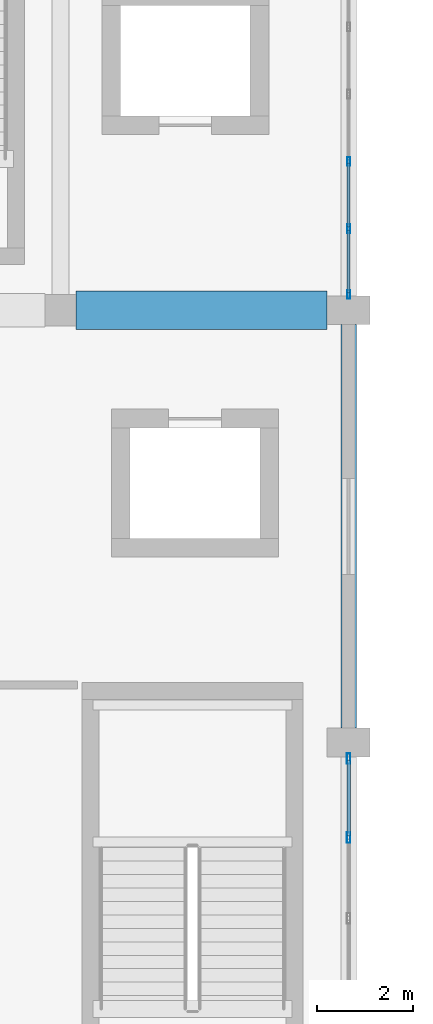
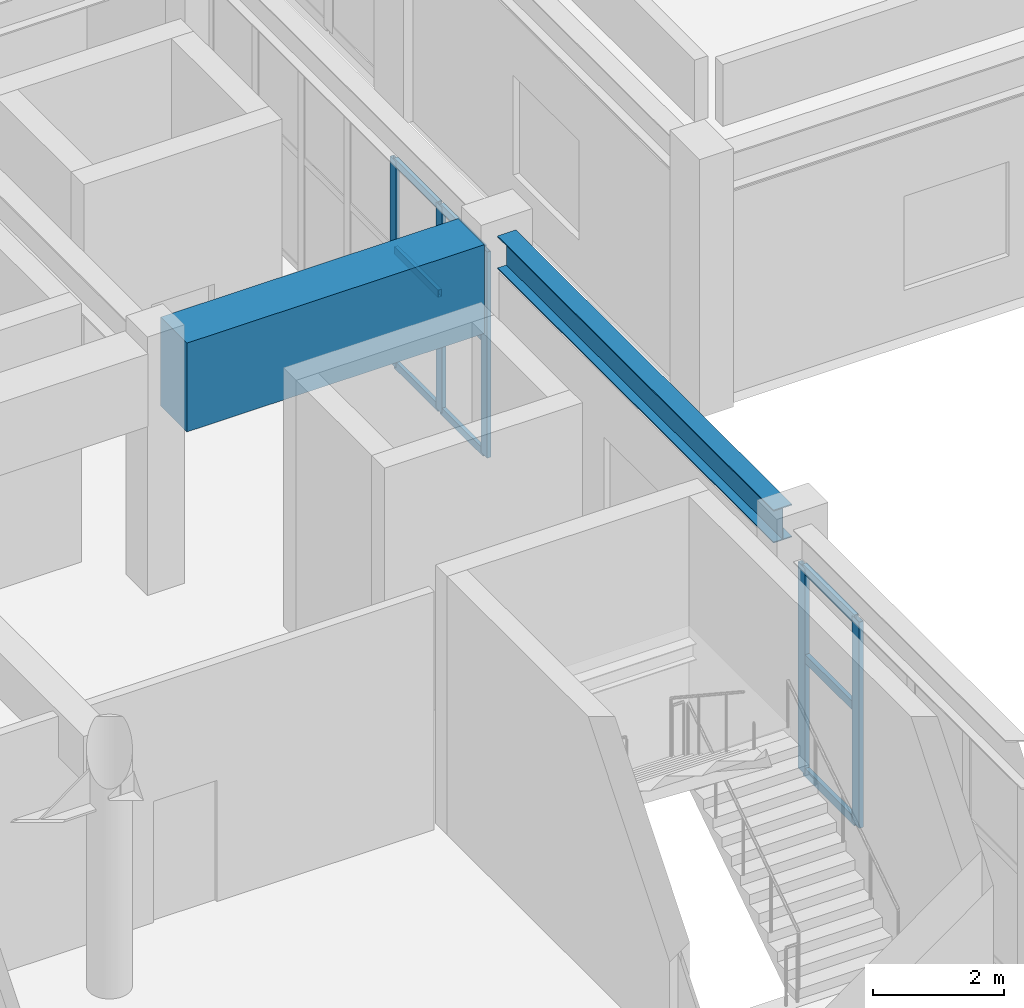
# One storey, part 25 of 85: 14 members, 2 beams, 2 elements without a shape of their own.
"""IFC4 building model written with IfcOpenShell, lengths in metres."""

from ifc_helpers import new_model, si_unit, direction, frame, origin, origin_2d, place, context, subcontext, project, spatial, rectangle, hollow_rectangle, i_section, extrude, material, layer, layer_set, material_profile, profile_set, type_object, element, aggregate, save


model = new_model("IFC4")

# Units and contexts
model_context = context("Model", 3, precision=1e-05, world=origin(), true_north=direction((0.0, 1.0)))
body_context = subcontext(model_context, "Body", "Model", "MODEL_VIEW")
ifc_project = project(units=[si_unit("LENGTHUNIT", "METRE"), si_unit("AREAUNIT", "SQUARE_METRE"), si_unit("VOLUMEUNIT", "CUBIC_METRE"), si_unit("PLANEANGLEUNIT", "RADIAN"), si_unit("MASSUNIT", "GRAM", prefix="KILO")], contexts=[model_context])

# Site, building, storey
site_placement = place(None, origin())
site = spatial("IfcSite", under=ifc_project, at=site_placement, CompositionType="ELEMENT")
building_placement = place(site_placement, origin())
building = spatial("IfcBuilding", under=site, at=building_placement, Name="Vaelkrest Opera House", CompositionType="ELEMENT")
storey_placement = place(building_placement, frame((0.0, 0.0, 10.199951171875)))
storey = spatial("IfcBuildingStorey", under=building, at=storey_placement, Name="L02", CompositionType="ELEMENT", Elevation=10.199951171875)

# Beam
ifc_material_1 = material(Name="Concrete C50/60", Category="concrete")
ifc_material_profile_1 = material_profile(ifc_material_1, rectangle(XDim=0.800048828125, YDim=1.64990234375, at=origin_2d()), Name="RCB800X1650")
ifc_profile_set_1 = profile_set([ifc_material_profile_1], Name="Concrete C50/60")
beam_type_1 = type_object("IfcBeamType", Name="B07", PredefinedType="BEAM", material=ifc_profile_set_1)
beam_1_placement = place(storey_placement, frame((24.324951171875, -28.800048828125, 3.679931640625), z_axis=(1.0, 0.0, 0.0), x_axis=(0.0, 1.0, 0.0)))
element("IfcBeam", 1, at=beam_1_placement, inside=storey, type_object=beam_type_1, Name="Beam BM-V1-L02-0336", PredefinedType="BEAM", context=body_context, shape_type="SweptSolid", body=[
    extrude(rectangle(XDim=0.800048828125, YDim=1.64990234375, at=origin_2d()), origin(), (0.0, 0.0, 1.0), 5.22509765625),
])

# Curtain wall, members
ifc_material_2 = material(Name="Dark bronze anodized aluminium", Category="aluminium")
ifc_layer_1 = layer(ifc_material_2, 0.179931640625)
ifc_layer_set_1 = layer_set([ifc_layer_1], Name="Dark bronze anodized aluminium")
curtain_wall_type_1 = type_object("IfcCurtainWallType", Name="CW01", PredefinedType="NOTDEFINED", material=ifc_layer_set_1)
curtain_wall_1_placement = place(storey_placement, origin())
curtain_wall_1 = element("IfcCurtainWall", 2, at=curtain_wall_1_placement, inside=storey, type_object=curtain_wall_type_1, Name="Curtain wall CW-L02-040", PredefinedType="NOTDEFINED")
ifc_material_profile_2 = material_profile(ifc_material_2, hollow_rectangle(XDim=0.06494140625, YDim=0.179931640625, WallThickness=0.00390625, at=origin_2d()), Name="CWM65X180")
ifc_profile_set_2 = profile_set([ifc_material_profile_2], Name="Dark bronze anodized aluminium")
member_type_1 = type_object("IfcMemberType", Name="CWM01", PredefinedType="MULLION", material=ifc_profile_set_2)
member_1_placement = place(storey_placement, frame((30.0, -25.70068359375, 0.0), z_axis=(0.0, 0.0, 1.0), x_axis=(1.0, 0.0, 0.0)))
member_1 = element("IfcMember", 3, at=member_1_placement, type_object=member_type_1, Name="CW01 mullion 5", PredefinedType="MULLION", context=body_context, shape_type="SweptSolid", body=[
    extrude(hollow_rectangle(XDim=0.06494140625, YDim=0.179931640625, WallThickness=0.00390625, at=origin_2d()), origin(), (0.0, 0.0, 1.0), 3.8291015625),
])
member_2_placement = place(storey_placement, frame((30.0, -27.101318359375, 0.0), z_axis=(0.0, 0.0, 1.0), x_axis=(1.0, 0.0, 0.0)))
member_2 = element("IfcMember", 4, at=member_2_placement, type_object=member_type_1, Name="CW01 mullion 6", PredefinedType="MULLION", context=body_context, shape_type="SweptSolid", body=[
    extrude(hollow_rectangle(XDim=0.06494140625, YDim=0.179931640625, WallThickness=0.00390625, at=origin_2d()), origin(), (0.0, 0.0, 1.0), 3.8291015625),
])
member_3_placement = place(storey_placement, frame((30.0, -28.469482421875, 0.0), z_axis=(0.0, 0.0, 1.0), x_axis=(1.0, 0.0, 0.0)))
member_3 = element("IfcMember", 5, at=member_3_placement, type_object=member_type_1, Name="CW01 mullion 7", PredefinedType="MULLION", context=body_context, shape_type="SweptSolid", body=[
    extrude(hollow_rectangle(XDim=0.06494140625, YDim=0.179931640625, WallThickness=0.00390625, at=origin_2d()), origin(), (0.0, 0.0, 1.0), 3.8291015625),
])

ifc_layer_2 = layer(ifc_material_2, 0.199951171875)
ifc_layer_set_2 = layer_set([ifc_layer_2], Name="Dark bronze anodized aluminium")
curtain_wall_type_2 = type_object("IfcCurtainWallType", Name="CW03", PredefinedType="NOTDEFINED", material=ifc_layer_set_2)
curtain_wall_2_placement = place(storey_placement, origin())
curtain_wall_2 = element("IfcCurtainWall", 6, at=curtain_wall_2_placement, inside=storey, type_object=curtain_wall_type_2, Name="Curtain wall CW-L02-041", PredefinedType="NOTDEFINED")
ifc_material_profile_3 = material_profile(ifc_material_2, hollow_rectangle(XDim=0.074951171875, YDim=0.219970703125, WallThickness=0.00439453125, at=origin_2d()), Name="CWM75X220")
ifc_profile_set_3 = profile_set([ifc_material_profile_3], Name="Dark bronze anodized aluminium")
member_type_2 = type_object("IfcMemberType", Name="CWM03", PredefinedType="MULLION", material=ifc_profile_set_3)
member_4_placement = place(storey_placement, frame((30.0, -38.135498046875, 0.0), z_axis=(0.0, 0.0, 1.0), x_axis=(1.0, 0.0, 0.0)))
member_4 = element("IfcMember", 7, at=member_4_placement, type_object=member_type_2, Name="CW03 mullion 1", PredefinedType="MULLION", context=body_context, shape_type="SweptSolid", body=[
    extrude(hollow_rectangle(XDim=0.074951171875, YDim=0.219970703125, WallThickness=0.00439453125, at=origin_2d()), origin(), (0.0, 0.0, 1.0), 3.8291015625),
])
member_5_placement = place(storey_placement, frame((30.0, -39.77880859375, 0.0), z_axis=(0.0, 0.0, 1.0), x_axis=(1.0, 0.0, 0.0)))
member_5 = element("IfcMember", 8, at=member_5_placement, type_object=member_type_2, Name="CW03 mullion 2", PredefinedType="MULLION", context=body_context, shape_type="SweptSolid", body=[
    extrude(hollow_rectangle(XDim=0.074951171875, YDim=0.219970703125, WallThickness=0.00439453125, at=origin_2d()), origin(), (0.0, 0.0, 1.0), 3.8291015625),
])

# Member
ifc_material_profile_4 = material_profile(ifc_material_2, hollow_rectangle(XDim=0.06494140625, YDim=0.139892578125, WallThickness=0.00390625, at=origin_2d()), Name="CWT65X140")
ifc_profile_set_4 = profile_set([ifc_material_profile_4], Name="Dark bronze anodized aluminium")
member_type_3 = type_object("IfcMemberType", Name="CWT01", PredefinedType="USERDEFINED", material=ifc_profile_set_4)
member_6_placement = place(storey_placement, frame((30.0, -25.733154296875, 0.032470703125), z_axis=(0.0, -1.0, 0.0), x_axis=(1.0, 0.0, 0.0)))
member_6 = element("IfcMember", 9, at=member_6_placement, type_object=member_type_3, Name="CW01 transom 5.1", ObjectType="TRANSOM", PredefinedType="USERDEFINED", context=body_context, shape_type="SweptSolid", body=[
    extrude(hollow_rectangle(XDim=0.06494140625, YDim=0.139892578125, WallThickness=0.00390625, at=origin_2d()), origin(), (0.0, 0.0, 1.0), 1.335693359375),
])

member_7_placement = place(storey_placement, frame((30.0, -25.733154296875, 2.150146484375), z_axis=(0.0, -1.0, 0.0), x_axis=(1.0, 0.0, 0.0)))
member_7 = element("IfcMember", 10, at=member_7_placement, type_object=member_type_3, Name="CW01 transom 5.2", ObjectType="TRANSOM", PredefinedType="USERDEFINED", context=body_context, shape_type="SweptSolid", body=[
    extrude(hollow_rectangle(XDim=0.06494140625, YDim=0.139892578125, WallThickness=0.00390625, at=origin_2d()), origin(), (0.0, 0.0, 1.0), 1.335693359375),
])

member_8_placement = place(storey_placement, frame((30.0, -25.733154296875, 3.796630859375), z_axis=(0.0, -1.0, 0.0), x_axis=(1.0, 0.0, 0.0)))
member_8 = element("IfcMember", 11, at=member_8_placement, type_object=member_type_3, Name="CW01 transom 5.3", ObjectType="TRANSOM", PredefinedType="USERDEFINED", context=body_context, shape_type="SweptSolid", body=[
    extrude(hollow_rectangle(XDim=0.06494140625, YDim=0.139892578125, WallThickness=0.00390625, at=origin_2d()), origin(), (0.0, 0.0, 1.0), 1.335693359375),
])

member_9_placement = place(storey_placement, frame((30.0, -27.1337890625, 0.032470703125), z_axis=(0.0, -1.0, 0.0), x_axis=(1.0, 0.0, 0.0)))
member_9 = element("IfcMember", 12, at=member_9_placement, type_object=member_type_3, Name="CW01 transom 6.1", ObjectType="TRANSOM", PredefinedType="USERDEFINED", context=body_context, shape_type="SweptSolid", body=[
    extrude(hollow_rectangle(XDim=0.06494140625, YDim=0.139892578125, WallThickness=0.00390625, at=origin_2d()), origin(), (0.0, 0.0, 1.0), 1.30322265625),
])

member_10_placement = place(storey_placement, frame((30.0, -27.1337890625, 2.150146484375), z_axis=(0.0, -1.0, 0.0), x_axis=(1.0, 0.0, 0.0)))
member_10 = element("IfcMember", 13, at=member_10_placement, type_object=member_type_3, Name="CW01 transom 6.2", ObjectType="TRANSOM", PredefinedType="USERDEFINED", context=body_context, shape_type="SweptSolid", body=[
    extrude(hollow_rectangle(XDim=0.06494140625, YDim=0.139892578125, WallThickness=0.00390625, at=origin_2d()), origin(), (0.0, 0.0, 1.0), 1.30322265625),
])

member_11_placement = place(storey_placement, frame((30.0, -27.1337890625, 3.796630859375), z_axis=(0.0, -1.0, 0.0), x_axis=(1.0, 0.0, 0.0)))
member_11 = element("IfcMember", 14, at=member_11_placement, type_object=member_type_3, Name="CW01 transom 6.3", ObjectType="TRANSOM", PredefinedType="USERDEFINED", context=body_context, shape_type="SweptSolid", body=[
    extrude(hollow_rectangle(XDim=0.06494140625, YDim=0.139892578125, WallThickness=0.00390625, at=origin_2d()), origin(), (0.0, 0.0, 1.0), 1.30322265625),
])

aggregate(curtain_wall_1, [member_1, member_2, member_3, member_6, member_7, member_8, member_9, member_10, member_11])

ifc_material_profile_5 = material_profile(ifc_material_2, hollow_rectangle(XDim=0.074951171875, YDim=0.159912109375, WallThickness=0.00439453125, at=origin_2d()), Name="CWT75X160")
ifc_profile_set_5 = profile_set([ifc_material_profile_5], Name="Dark bronze anodized aluminium")
member_type_4 = type_object("IfcMemberType", Name="CWT03", PredefinedType="USERDEFINED", material=ifc_profile_set_5)
member_12_placement = place(storey_placement, frame((30.0, -38.173095703125, 0.03759765625), z_axis=(0.0, -1.0, 0.0), x_axis=(1.0, 0.0, 0.0)))
member_12 = element("IfcMember", 15, at=member_12_placement, type_object=member_type_4, Name="CW03 transom 1.1", ObjectType="TRANSOM", PredefinedType="USERDEFINED", context=body_context, shape_type="SweptSolid", body=[
    extrude(hollow_rectangle(XDim=0.074951171875, YDim=0.159912109375, WallThickness=0.00439453125, at=origin_2d()), origin(), (0.0, 0.0, 1.0), 1.568115234375),
])

member_13_placement = place(storey_placement, frame((30.0, -38.173095703125, 2.150146484375), z_axis=(0.0, -1.0, 0.0), x_axis=(1.0, 0.0, 0.0)))
member_13 = element("IfcMember", 16, at=member_13_placement, type_object=member_type_4, Name="CW03 transom 1.2", ObjectType="TRANSOM", PredefinedType="USERDEFINED", context=body_context, shape_type="SweptSolid", body=[
    extrude(hollow_rectangle(XDim=0.074951171875, YDim=0.159912109375, WallThickness=0.00439453125, at=origin_2d()), origin(), (0.0, 0.0, 1.0), 1.568115234375),
])

member_14_placement = place(storey_placement, frame((30.0, -38.173095703125, 3.79150390625), z_axis=(0.0, -1.0, 0.0), x_axis=(1.0, 0.0, 0.0)))
member_14 = element("IfcMember", 17, at=member_14_placement, type_object=member_type_4, Name="CW03 transom 1.3", ObjectType="TRANSOM", PredefinedType="USERDEFINED", context=body_context, shape_type="SweptSolid", body=[
    extrude(hollow_rectangle(XDim=0.074951171875, YDim=0.159912109375, WallThickness=0.00439453125, at=origin_2d()), origin(), (0.0, 0.0, 1.0), 1.568115234375),
])

aggregate(curtain_wall_2, [member_4, member_5, member_12, member_13, member_14])

# Beam
ifc_material_3 = material(Name="Steel A992 Gr50", Category="steel")
ifc_material_profile_6 = material_profile(ifc_material_3, i_section(OverallWidth=0.323974609375, OverallDepth=0.611083984375, WebThickness=0.0126953125, FlangeThickness=0.01904296875, at=origin_2d()), Name="W24X104")
ifc_profile_set_6 = profile_set([ifc_material_profile_6], Name="Steel A992 Gr50")
beam_type_2 = type_object("IfcBeamType", Name="SP01", PredefinedType="SPANDREL", material=ifc_profile_set_6)
beam_2_placement = place(storey_placement, frame((30.0, -37.5, 4.199462890625), z_axis=(0.0, 1.0, 0.0), x_axis=(-1.0, 0.0, 0.0)))
element("IfcBeam", 18, at=beam_2_placement, inside=storey, type_object=beam_type_2, Name="Beam BM-V1-L02-0401", PredefinedType="SPANDREL", context=body_context, shape_type="SweptSolid", body=[
    extrude(i_section(OverallWidth=0.323974609375, OverallDepth=0.611083984375, WebThickness=0.0126953125, FlangeThickness=0.01904296875, at=origin_2d()), origin(), (0.0, 0.0, 1.0), 8.39990234375),
])

save(model, "model.ifc")
